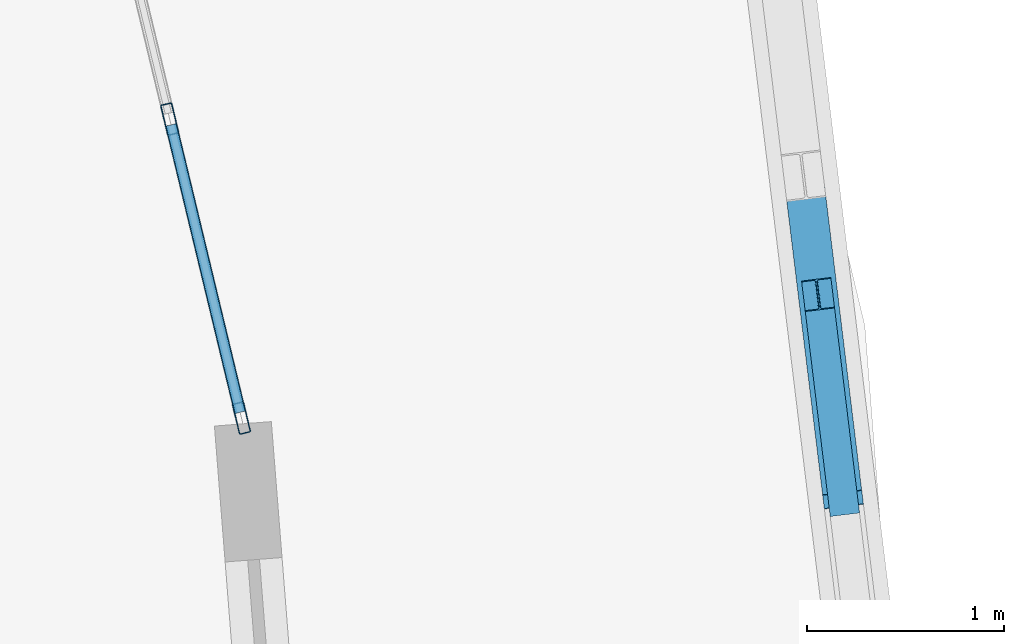
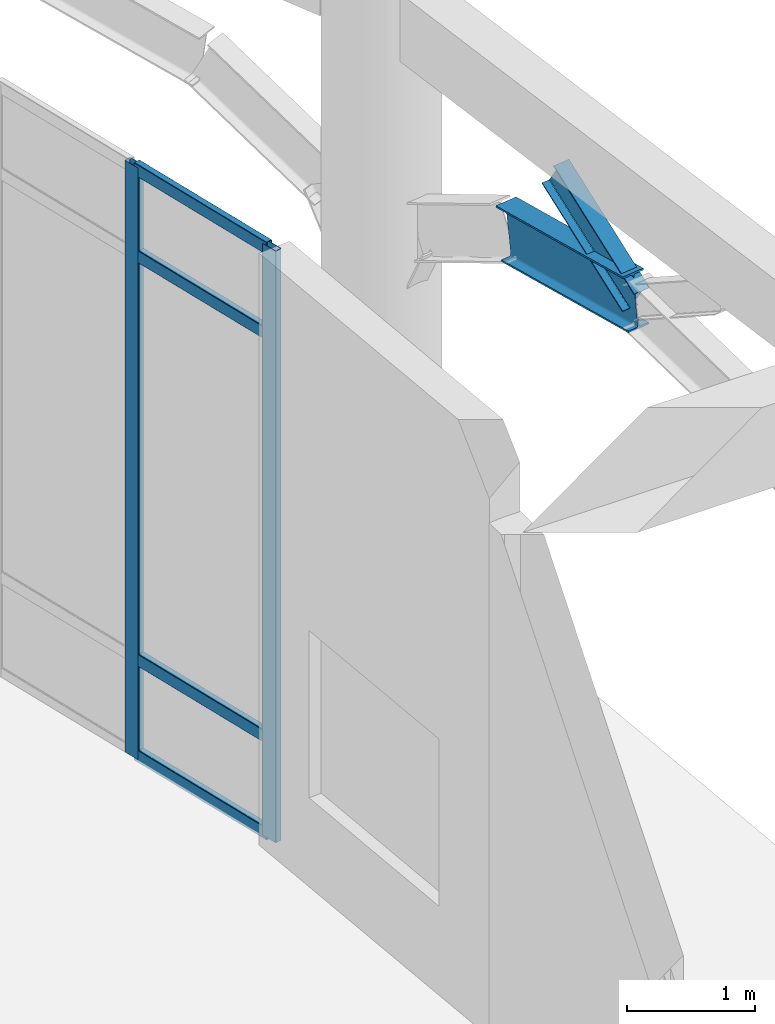
# One storey, part 44 of 82: 7 members, 1 beam, 1 element without a shape of its own.
"""IFC4 building model written with IfcOpenShell, lengths in metres."""

from ifc_helpers import new_model, si_unit, derived_unit, direction, frame, origin, origin_2d, place, context, subcontext, project, spatial, hollow_rectangle, i_section, extrude, material, layer, layer_set, material_profile, profile_set, type_object, element, aggregate, save


model = new_model("IFC4")

# Units and contexts
model_context = context("Model", 3, precision=1e-05, world=origin(), true_north=direction((0.0, 1.0)))
body_context = subcontext(model_context, "Body", "Model", "MODEL_VIEW")
ifc_project = project(units=[si_unit("LENGTHUNIT", "METRE"), si_unit("AREAUNIT", "SQUARE_METRE"), si_unit("VOLUMEUNIT", "CUBIC_METRE"), si_unit("PLANEANGLEUNIT", "RADIAN"), si_unit("MASSUNIT", "GRAM", prefix="KILO"), derived_unit("THERMALTRANSMITTANCEUNIT", [(si_unit("MASSUNIT", "GRAM", prefix="KILO"), 1), (si_unit("TIMEUNIT", "SECOND"), -3), (si_unit("THERMODYNAMICTEMPERATUREUNIT", "KELVIN"), -1)])], contexts=[model_context])

# Site, building, storey
site_placement = place(None, origin())
site = spatial("IfcSite", under=ifc_project, at=site_placement, CompositionType="ELEMENT")
building_placement = place(site_placement, origin())
building = spatial("IfcBuilding", under=site, at=building_placement, Name="Qinzheling Arcade Emporium", CompositionType="ELEMENT")
storey_placement = place(building_placement, origin())
storey = spatial("IfcBuildingStorey", under=building, at=storey_placement, Name="L01", CompositionType="ELEMENT", Elevation=0.0)

# Beam
ifc_material_1 = material(Name="Weathering steel Q355NH", Category="steel")
ifc_material_profile_1 = material_profile(ifc_material_1, i_section(OverallWidth=0.199951171875, OverallDepth=0.5, WebThickness=0.010009765625, FlangeThickness=0.01611328125, FilletRadius=0.01806640625, at=origin_2d()), Name="HN 500x200x10x16", Category="steel")
ifc_profile_set_1 = profile_set([ifc_material_profile_1], Name="Weathering steel Q355NH")
beam_type = type_object("IfcBeamType", Name="Arcade End Arch Rib HN500 Q355NH", PredefinedType="BEAM", material=ifc_profile_set_1)
beam_placement = place(storey_placement, frame((147.5, 93.89111328125, 4.31494140625), z_axis=(-0.11995694508, 0.981956183482, -0.146192971951), x_axis=(-0.992620810453, -0.121259748702, 0.0)))
element("IfcBeam", 1, at=beam_placement, inside=storey, type_object=beam_type, Name="Curved Arcade Entrance Arch ARC-L01-CV6-B01-C04", PredefinedType="BEAM", context=body_context, shape_type="SweptSolid", body=[
    extrude(i_section(OverallWidth=0.199951171875, OverallDepth=0.5, WebThickness=0.010009765625, FlangeThickness=0.01611328125, FilletRadius=0.01806640625, at=origin_2d()), origin(), (0.0, 0.0, 1.0), 1.675048828125),
])

# Member
ifc_material_profile_2 = material_profile(ifc_material_1, i_section(OverallWidth=0.14990234375, OverallDepth=0.300048828125, WebThickness=0.006591796875, FlangeThickness=0.009033203125, FilletRadius=0.012939453125, at=origin_2d()), Name="HN 300x150x6.5x9", Category="steel")
ifc_profile_set_2 = profile_set([ifc_material_profile_2], Name="Weathering steel Q355NH")
member_type_1 = type_object("IfcMemberType", Name="Arcade Spandrel Web Chord HN300 Q355NH", PredefinedType="CHORD", material=ifc_profile_set_2)
member_1_placement = place(storey_placement, frame((147.5, 93.89111328125, 4.324951171875), z_axis=(-0.103256935536, 0.847501155511, 0.520653240335), x_axis=(-0.992659504426, -0.120942582545, 0.0)))
element("IfcMember", 2, at=member_1_placement, inside=storey, type_object=member_type_1, Name="Arcade Spandrel Web Chord ASW-L01-CV6-B01-W2", PredefinedType="CHORD", context=body_context, shape_type="SweptSolid", body=[
    extrude(i_section(OverallWidth=0.14990234375, OverallDepth=0.300048828125, WebThickness=0.006591796875, FlangeThickness=0.009033203125, FilletRadius=0.012939453125, at=origin_2d()), origin(), (0.0, 0.0, 1.0), 1.2294921875),
])

# Curtain wall, members
ifc_material_2 = material(Name="Anodised aluminium and solar-control double glazing", Category="aluminium")
ifc_layer = layer(ifc_material_2, 0.159912109375, Name="Anodised aluminium and solar-control double glazing", Category="aluminium")
ifc_layer_set = layer_set([ifc_layer], Name="Anodised aluminium and solar-control double glazing")
curtain_wall_type = type_object("IfcCurtainWallType", Name="Curved Ribbon Sales Curtain Wall", PredefinedType="NOTDEFINED", material=ifc_layer_set)
curtain_wall_placement = place(storey_placement, origin())
curtain_wall = element("IfcCurtainWall", 3, at=curtain_wall_placement, inside=storey, type_object=curtain_wall_type, Name="Curtain Wall CW-L01-042", PredefinedType="NOTDEFINED")
ifc_material_3 = material(Name="Anodised aluminium 6063-T6", Category="aluminium")
ifc_material_profile_3 = material_profile(ifc_material_3, hollow_rectangle(XDim=0.06005859375, YDim=0.159912109375, WallThickness=0.00390625, InnerFilletRadius=0.00390625, OuterFilletRadius=0.008056640625, at=origin_2d()), Name="RHS 160x60x4", Category="aluminium")
ifc_profile_set_3 = profile_set([ifc_material_profile_3], Name="Anodised aluminium 6063-T6")
member_type_2 = type_object("IfcMemberType", Name="Curtain Wall Mullion RHS160x60", PredefinedType="MULLION", material=ifc_profile_set_3)
member_2_placement = place(storey_placement, frame((144.077880859375, 95.824462890625, 0.0), z_axis=(0.0, 0.0, 1.0), x_axis=(0.972335980843, 0.233586687032, 0.0)))
member_2 = element("IfcMember", 4, at=member_2_placement, type_object=member_type_2, Name="CW02 mullion 2", PredefinedType="MULLION", context=body_context, shape_type="SweptSolid", body=[
    extrude(hollow_rectangle(XDim=0.06005859375, YDim=0.159912109375, WallThickness=0.00390625, InnerFilletRadius=0.00390625, OuterFilletRadius=0.008056640625, at=origin_2d()), origin(), (0.0, 0.0, 1.0), 5.659912109375),
])
member_3_placement = place(storey_placement, frame((144.44287109375, 94.30517578125, 0.0), z_axis=(0.0, 0.0, 1.0), x_axis=(0.972335980843, 0.233586687032, 0.0)))
member_3 = element("IfcMember", 5, at=member_3_placement, type_object=member_type_2, Name="CW02 mullion 3", PredefinedType="MULLION", context=body_context, shape_type="SweptSolid", body=[
    extrude(hollow_rectangle(XDim=0.06005859375, YDim=0.159912109375, WallThickness=0.00390625, InnerFilletRadius=0.00390625, OuterFilletRadius=0.008056640625, at=origin_2d()), origin(), (0.0, 0.0, 1.0), 5.659912109375),
])
ifc_material_profile_4 = material_profile(ifc_material_3, hollow_rectangle(XDim=0.06005859375, YDim=0.1201171875, WallThickness=0.00390625, InnerFilletRadius=0.00390625, OuterFilletRadius=0.008056640625, at=origin_2d()), Name="RHS 120x60x4", Category="aluminium")
ifc_profile_set_4 = profile_set([ifc_material_profile_4], Name="Anodised aluminium 6063-T6")
member_type_3 = type_object("IfcMemberType", Name="Curtain Wall Transom RHS120x60", PredefinedType="USERDEFINED", material=ifc_profile_set_4)
member_4_placement = place(storey_placement, frame((144.0849609375, 95.79541015625, 0.030029296875), z_axis=(0.233618725453, -0.972328283615, 0.0), x_axis=(0.972328283615, 0.233618725453, 0.0)))
member_4 = element("IfcMember", 6, at=member_4_placement, type_object=member_type_3, Name="CW02 transom 2.1", ObjectType="TRANSOM", PredefinedType="USERDEFINED", context=body_context, shape_type="SweptSolid", body=[
    extrude(hollow_rectangle(XDim=0.06005859375, YDim=0.1201171875, WallThickness=0.00390625, InnerFilletRadius=0.00390625, OuterFilletRadius=0.008056640625, at=origin_2d()), origin(), (0.0, 0.0, 1.0), 1.502685546875),
])
member_5_placement = place(storey_placement, frame((144.0849609375, 95.79541015625, 0.949951171875), z_axis=(0.233618725453, -0.972328283615, 0.0), x_axis=(0.972328283615, 0.233618725453, 0.0)))
member_5 = element("IfcMember", 7, at=member_5_placement, type_object=member_type_3, Name="CW02 transom 2.2", ObjectType="TRANSOM", PredefinedType="USERDEFINED", context=body_context, shape_type="SweptSolid", body=[
    extrude(hollow_rectangle(XDim=0.06005859375, YDim=0.1201171875, WallThickness=0.00390625, InnerFilletRadius=0.00390625, OuterFilletRadius=0.008056640625, at=origin_2d()), origin(), (0.0, 0.0, 1.0), 1.502685546875),
])
member_6_placement = place(storey_placement, frame((144.0849609375, 95.79541015625, 4.81005859375), z_axis=(0.233618725453, -0.972328283615, 0.0), x_axis=(0.972328283615, 0.233618725453, 0.0)))
member_6 = element("IfcMember", 8, at=member_6_placement, type_object=member_type_3, Name="CW02 transom 2.3", ObjectType="TRANSOM", PredefinedType="USERDEFINED", context=body_context, shape_type="SweptSolid", body=[
    extrude(hollow_rectangle(XDim=0.06005859375, YDim=0.1201171875, WallThickness=0.00390625, InnerFilletRadius=0.00390625, OuterFilletRadius=0.008056640625, at=origin_2d()), origin(), (0.0, 0.0, 1.0), 1.502685546875),
])
member_7_placement = place(storey_placement, frame((144.0849609375, 95.79541015625, 5.6298828125), z_axis=(0.233618725453, -0.972328283615, 0.0), x_axis=(0.972328283615, 0.233618725453, 0.0)))
member_7 = element("IfcMember", 9, at=member_7_placement, type_object=member_type_3, Name="CW02 transom 2.4", ObjectType="TRANSOM", PredefinedType="USERDEFINED", context=body_context, shape_type="SweptSolid", body=[
    extrude(hollow_rectangle(XDim=0.06005859375, YDim=0.1201171875, WallThickness=0.00390625, InnerFilletRadius=0.00390625, OuterFilletRadius=0.008056640625, at=origin_2d()), origin(), (0.0, 0.0, 1.0), 1.502685546875),
])
aggregate(curtain_wall, [member_2, member_3, member_4, member_5, member_6, member_7])

save(model, "model.ifc")
